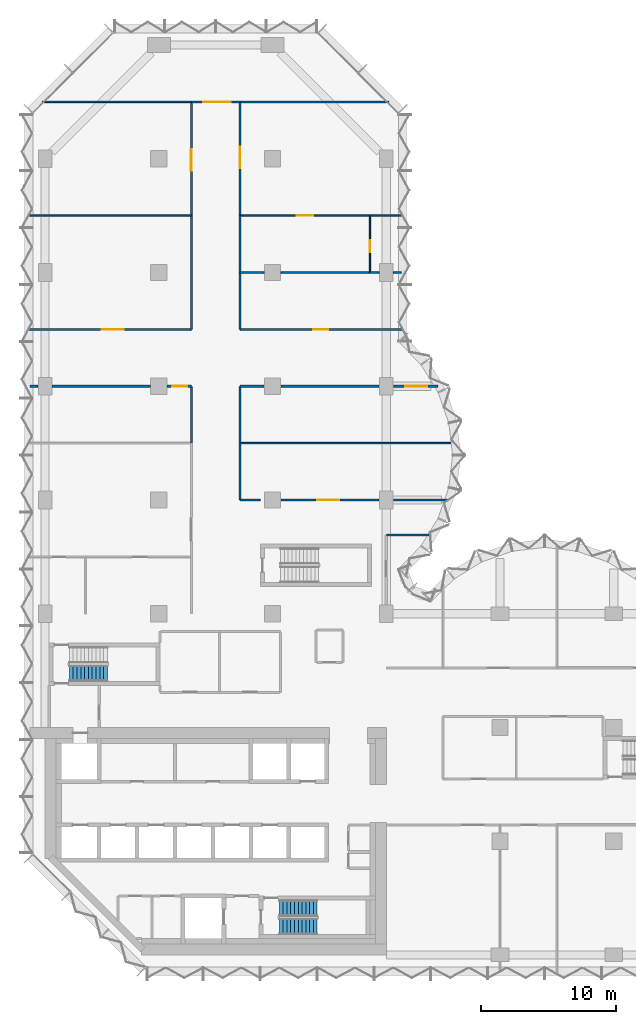
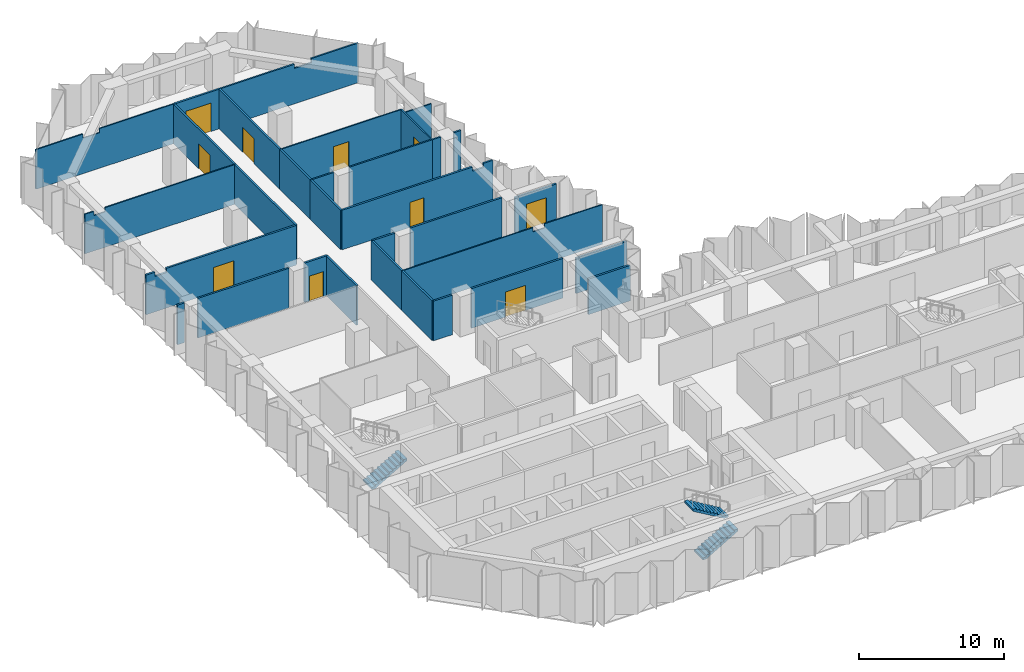
# One storey, part 10 of 13: 32 walls, 10 doors, 3 stair flights, 10 openings, 2 elements without a shape of their own.
"""IFC4 building model written with IfcOpenShell, lengths in metres."""

from ifc_helpers import new_model, si_unit, direction, frame, frame_2d, origin, place, context, subcontext, project, spatial, polyline, rectangle, outline, extrude, material, layer, layer_set, type_object, element, fill, aggregate, save


model = new_model("IFC4")

# Units and contexts
model_context = context("Model", 3, precision=1e-05, world=origin(), true_north=direction((0.0, 1.0)))
body_context = subcontext(model_context, "Body", "Model", "MODEL_VIEW")
ifc_project = project(units=[si_unit("LENGTHUNIT", "METRE"), si_unit("AREAUNIT", "SQUARE_METRE"), si_unit("VOLUMEUNIT", "CUBIC_METRE"), si_unit("PLANEANGLEUNIT", "RADIAN"), si_unit("MASSUNIT", "GRAM", prefix="KILO")], contexts=[model_context])

# Site, building, storey
site_placement = place(None, origin())
site = spatial("IfcSite", under=ifc_project, at=site_placement, CompositionType="ELEMENT")
building_placement = place(site_placement, origin())
building = spatial("IfcBuilding", under=site, at=building_placement, Name="Brevane Broadcast Tower", CompositionType="ELEMENT")
storey_placement = place(building_placement, frame((0.0, 0.0, 95.300048828125)))
storey = spatial("IfcBuildingStorey", under=building, at=storey_placement, Name="L22", CompositionType="ELEMENT", Elevation=95.300048828125)

# Walls
ifc_material_1 = material(Name="Gypsum board partition")
ifc_layer_1 = layer(ifc_material_1, 0.10009765625)
ifc_layer_set_1 = layer_set([ifc_layer_1], Name="PARTITION 100 STUD")
wall_type_1 = type_object("IfcWallType", Name="PARTITION 100 STUD", PredefinedType="PARTITIONING", material=ifc_layer_set_1)
wall_1_placement = place(storey_placement, frame((10.800048828125, 63.0, 0.0), z_axis=(0.0, 0.0, 1.0), x_axis=(-1.0, 0.0, 0.0)))
element("IfcWall", 1, at=wall_1_placement, inside=storey, type_object=wall_type_1, Name="Partition G06-046", PredefinedType="PARTITIONING", context=body_context, shape_type="SweptSolid", body=[
    extrude(outline(polyline([(0.0, 0.0), (11.0, 0.0), (11.0, 3.329833984375), (7.265625, 3.329833984375), (7.263671875, 2.97998046875), (5.936279296875, 2.97998046875), (5.934326171875, 3.329833984375), (0.0, 3.329833984375), (0.0, 0.0)])), frame((0.0, 0.050048828125, 0.0), z_axis=(0.0, -1.0, 0.0), x_axis=(1.0, 0.0, 0.0)), (0.0, 0.0, 1.0), 0.10009765625),
])
wall_2_placement = place(storey_placement, frame((-1.174072265625, 54.60009765625, 0.0), z_axis=(0.0, 0.0, 1.0), x_axis=(1.0, 0.0, 0.0)))
element("IfcWall", 2, at=wall_2_placement, inside=storey, type_object=wall_type_1, Name="Partition G06-056", PredefinedType="PARTITIONING", context=body_context, shape_type="SweptSolid", body=[
    extrude(outline(polyline([(0.0, 0.0), (11.97412109375, 0.0), (11.97412109375, 3.329833984375), (1.6240234375, 3.329833984375), (1.6220703125, 2.97998046875), (0.72607421875, 2.97998046875), (0.72412109375, 3.329833984375), (0.073974609375, 3.329833984375), (0.0, 3.329833984375), (0.0, 0.0)])), frame((0.0, 0.050048828125, 0.0), z_axis=(0.0, -1.0, 0.0), x_axis=(1.0, 0.0, 0.0)), (0.0, 0.0, 1.0), 0.10009765625),
])
wall_3_placement = place(storey_placement, frame((14.39990234375, 37.800048828125, 0.0), z_axis=(0.0, 0.0, 1.0), x_axis=(1.0, 0.0, 0.0)))
element("IfcWall", 3, at=wall_3_placement, inside=storey, type_object=wall_type_1, Name="Partition G06-061", PredefinedType="PARTITIONING", context=body_context, shape_type="SweptSolid", body=[
    extrude(outline(polyline([(0.0, 0.0), (15.8427734375, 0.0), (15.8427734375, 3.329833984375), (11.25, 3.329833984375), (11.248046875, 2.97998046875), (10.35205078125, 2.97998046875), (10.35009765625, 3.329833984375), (0.0, 3.329833984375), (0.0, 0.0)])), frame((0.0, 0.050048828125, 0.0), z_axis=(0.0, -1.0, 0.0), x_axis=(1.0, 0.0, 0.0)), (0.0, 0.0, 1.0), 0.10009765625),
])

# Wall, opening, door
wall_4_placement = place(storey_placement, frame((24.0, 54.60009765625, 0.0), z_axis=(0.0, 0.0, 1.0), x_axis=(-1.0, 0.0, 0.0)))
wall_4 = element("IfcWall", 4, at=wall_4_placement, inside=storey, type_object=wall_type_1, Name="Partition G06-066", PredefinedType="PARTITIONING", context=body_context, shape_type="SweptSolid", body=[
    extrude(rectangle(XDim=9.60009765625, YDim=0.10009765625, at=frame_2d((4.800048828125, 0.0))), origin(), (0.0, 0.0, 1.0), 3.329833984375),
])
opening_1_placement = place(wall_4_placement, frame((4.199951171875, 0.0, 0.0)))
opening_1 = element("IfcOpeningElement", 5, at=opening_1_placement, cuts=wall_4, Name="Opening D13-022", PredefinedType="OPENING", context=body_context, shape_type="SweptSolid", body=[
    extrude(rectangle(XDim=1.199951171875, YDim=2.10009765625, at=frame_2d((0.60009765625, 1.050048828125))), frame((0.0, 0.06005859375, 0.0), z_axis=(0.0, -1.0, 0.0), x_axis=(1.0, 0.0, 0.0)), (0.0, 0.0, 1.0), 0.1201171875),
])
ifc_material_2 = material(Name="Timber door leaf", Category="wood")
door_type_1 = type_object("IfcDoorType", Name="DOOR SINGLE 1200 INTERNAL", OperationType="SINGLE_SWING_LEFT", PredefinedType="DOOR", material=ifc_material_2)
door_1_placement = place(opening_1_placement, origin())
door_1 = element("IfcDoor", 6, at=door_1_placement, inside=storey, type_object=door_type_1, Name="Door D13-022", OperationType="SINGLE_SWING_LEFT", OverallHeight=2.10009765625, OverallWidth=1.199951171875, PredefinedType="DOOR", context=body_context, shape_type="SweptSolid", body=[
    extrude(rectangle(XDim=1.199951171875, YDim=2.10009765625, at=frame_2d((0.60009765625, 1.050048828125))), frame((0.0, 0.02490234375, 0.0), z_axis=(0.0, -1.0, 0.0), x_axis=(1.0, 0.0, 0.0)), (0.0, 0.0, 1.0), 0.050048828125),
])
fill(opening_1, door_1)

# Wall
wall_5_placement = place(storey_placement, frame((26.3740234375, 54.60009765625, 0.0), z_axis=(0.0, 0.0, 1.0), x_axis=(-1.0, 0.0, 0.0)))
element("IfcWall", 7, at=wall_5_placement, inside=storey, type_object=wall_type_1, Name="Partition G06-067", PredefinedType="PARTITIONING", context=body_context, shape_type="SweptSolid", body=[
    extrude(rectangle(XDim=2.3740234375, YDim=0.10009765625, at=frame_2d((1.18701171875, 0.0))), origin(), (0.0, 0.0, 1.0), 2.97998046875),
])

# Wall, opening, door
wall_6_placement = place(storey_placement, frame((24.0, 54.60009765625, 0.0), z_axis=(0.0, 0.0, 1.0), x_axis=(0.0, -1.0, 0.0)))
wall_6 = element("IfcWall", 8, at=wall_6_placement, inside=storey, type_object=wall_type_1, Name="Partition G06-068", PredefinedType="PARTITIONING", context=body_context, shape_type="SweptSolid", body=[
    extrude(rectangle(XDim=4.2001953125, YDim=0.10009765625, at=frame_2d((2.10009765625, 0.0))), origin(), (0.0, 0.0, 1.0), 3.329833984375),
])
opening_2_placement = place(wall_6_placement, frame((1.800048828125, 0.0, 0.0)))
opening_2 = element("IfcOpeningElement", 9, at=opening_2_placement, cuts=wall_6, Name="Opening D13-023", PredefinedType="OPENING", context=body_context, shape_type="SweptSolid", body=[
    extrude(rectangle(XDim=0.89990234375, YDim=2.10009765625, at=frame_2d((0.449951171875, 1.050048828125))), frame((0.0, 0.06005859375, 0.0), z_axis=(0.0, -1.0, 0.0), x_axis=(1.0, 0.0, 0.0)), (0.0, 0.0, 1.0), 0.1201171875),
])
door_type_2 = type_object("IfcDoorType", Name="DOOR SINGLE 900 INTERNAL", OperationType="SINGLE_SWING_LEFT", PredefinedType="DOOR", material=ifc_material_2)
door_2_placement = place(opening_2_placement, origin())
door_2 = element("IfcDoor", 10, at=door_2_placement, inside=storey, type_object=door_type_2, Name="Door D13-023", OperationType="SINGLE_SWING_LEFT", OverallHeight=2.10009765625, OverallWidth=0.89990234375, PredefinedType="DOOR", context=body_context, shape_type="SweptSolid", body=[
    extrude(rectangle(XDim=0.89990234375, YDim=2.10009765625, at=frame_2d((0.449951171875, 1.050048828125))), frame((0.0, 0.02490234375, 0.0), z_axis=(0.0, -1.0, 0.0), x_axis=(1.0, 0.0, 0.0)), (0.0, 0.0, 1.0), 0.050048828125),
])
fill(opening_2, door_2)

# Walls
ifc_layer_2 = layer(ifc_material_1, 0.125)
ifc_layer_set_2 = layer_set([ifc_layer_2], Name="PARTITION 125 ACOUSTIC")
wall_type_2 = type_object("IfcWallType", Name="PARTITION 125 ACOUSTIC", PredefinedType="PARTITIONING", material=ifc_layer_set_2)
wall_7_placement = place(storey_placement, frame((25.39990234375, 63.0, 0.0), z_axis=(0.0, 0.0, 1.0), x_axis=(-1.0, 0.0, 0.0)))
element("IfcWall", 11, at=wall_7_placement, inside=storey, type_object=wall_type_2, Name="Partition G06-047", PredefinedType="PARTITIONING", context=body_context, shape_type="SweptSolid", body=[
    extrude(outline(polyline([(0.0, 0.0), (11.0, 0.0), (11.0, 3.329833984375), (5.078125, 3.329833984375), (5.076171875, 2.97998046875), (3.723876953125, 2.97998046875), (3.721923828125, 3.329833984375), (0.0, 3.329833984375), (0.0, 0.0)])), frame((0.0, 0.0625, 0.0), z_axis=(0.0, -1.0, 0.0), x_axis=(1.0, 0.0, 0.0)), (0.0, 0.0, 1.0), 0.125),
])
wall_8_placement = place(storey_placement, frame((14.39990234375, 50.39990234375, 0.0), z_axis=(0.0, 0.0, 1.0), x_axis=(1.0, 0.0, 0.0)))
element("IfcWall", 12, at=wall_8_placement, inside=storey, type_object=wall_type_2, Name="Partition G06-062", PredefinedType="PARTITIONING", context=body_context, shape_type="SweptSolid", body=[
    extrude(rectangle(XDim=1.780029296875, YDim=0.125, at=frame_2d((0.89013671875, 0.0))), origin(), (0.0, 0.0, 1.0), 3.329833984375),
])
wall_9_placement = place(storey_placement, frame((17.419921875, 50.39990234375, 0.0), z_axis=(0.0, 0.0, 1.0), x_axis=(1.0, 0.0, 0.0)))
element("IfcWall", 13, at=wall_9_placement, inside=storey, type_object=wall_type_2, Name="Partition G06-063", PredefinedType="PARTITIONING", context=body_context, shape_type="SweptSolid", body=[
    extrude(rectangle(XDim=6.580078125, YDim=0.125, at=frame_2d((3.2900390625, 0.0))), origin(), (0.0, 0.0, 1.0), 3.329833984375),
])
wall_10_placement = place(storey_placement, frame((24.0, 50.39990234375, 0.0), z_axis=(0.0, 0.0, 1.0), x_axis=(1.0, 0.0, 0.0)))
element("IfcWall", 14, at=wall_10_placement, inside=storey, type_object=wall_type_2, Name="Partition G06-064", PredefinedType="PARTITIONING", context=body_context, shape_type="SweptSolid", body=[
    extrude(rectangle(XDim=0.679931640625, YDim=0.125, at=frame_2d((0.33984375, 0.0))), origin(), (0.0, 0.0, 1.0), 3.329833984375),
])
wall_11_placement = place(storey_placement, frame((25.719970703125, 50.39990234375, 0.0), z_axis=(0.0, 0.0, 1.0), x_axis=(1.0, 0.0, 0.0)))
element("IfcWall", 15, at=wall_11_placement, inside=storey, type_object=wall_type_2, Name="Partition G06-065", PredefinedType="PARTITIONING", context=body_context, shape_type="SweptSolid", body=[
    extrude(rectangle(XDim=0.580078125, YDim=0.125, at=frame_2d((0.2900390625, 0.0))), origin(), (0.0, 0.0, 1.0), 3.329833984375),
])
ifc_layer_3 = layer(ifc_material_1, 0.14990234375)
ifc_layer_set_3 = layer_set([ifc_layer_3], Name="PARTITION 150 EI 60")
wall_type_3 = type_object("IfcWallType", Name="PARTITION 150 EI 60", PredefinedType="PARTITIONING", material=ifc_layer_set_3)
wall_12_placement = place(storey_placement, frame((25.199951171875, 31.0, 0.0), z_axis=(0.0, 0.0, 1.0), x_axis=(1.0, 0.0, 0.0)))
element("IfcWall", 16, at=wall_12_placement, inside=storey, type_object=wall_type_3, Name="Partition G06-006", PredefinedType="PARTITIONING", context=body_context, shape_type="SweptSolid", body=[
    extrude(rectangle(XDim=3.32421875, YDim=0.14990234375, at=frame_2d((1.662109375, 0.0))), origin(), (0.0, 0.0, 1.0), 2.97998046875),
])
wall_13_placement = place(storey_placement, frame((14.39990234375, 33.60009765625, 0.0), z_axis=(0.0, 0.0, 1.0), x_axis=(1.0, 0.0, 0.0)))
element("IfcWall", 17, at=wall_13_placement, inside=storey, type_object=wall_type_3, Name="Partition G06-033", PredefinedType="PARTITIONING", context=body_context, shape_type="SweptSolid", body=[
    extrude(rectangle(XDim=1.5, YDim=0.14990234375, at=frame_2d((0.75, 0.0))), origin(), (0.0, 0.0, 1.0), 3.329833984375),
])

# Wall, opening, door
wall_14_placement = place(storey_placement, frame((17.419921875, 33.60009765625, 0.0), z_axis=(0.0, 0.0, 1.0), x_axis=(1.0, 0.0, 0.0)))
wall_14 = element("IfcWall", 18, at=wall_14_placement, inside=storey, type_object=wall_type_3, Name="Partition G06-034", PredefinedType="PARTITIONING", context=body_context, shape_type="SweptSolid", body=[
    extrude(rectangle(XDim=7.260009765625, YDim=0.14990234375, at=frame_2d((3.6298828125, 0.0))), origin(), (0.0, 0.0, 1.0), 3.329833984375),
])
opening_3_placement = place(wall_14_placement, frame((2.699951171875, 0.0, 0.0)))
opening_3 = element("IfcOpeningElement", 19, at=opening_3_placement, cuts=wall_14, Name="Opening D13-018", PredefinedType="OPENING", context=body_context, shape_type="SweptSolid", body=[
    extrude(rectangle(XDim=1.60009765625, YDim=2.10009765625, at=frame_2d((0.800048828125, 1.050048828125))), frame((0.0, 0.0849609375, 0.0), z_axis=(0.0, -1.0, 0.0), x_axis=(1.0, 0.0, 0.0)), (0.0, 0.0, 1.0), 0.169921875),
])
ifc_material_3 = material(Name="Fire-rated timber door leaf", Category="wood")
door_type_3 = type_object("IfcDoorType", Name="DOOR DOUBLE 1600 FD30S", OperationType="DOUBLE_DOOR_SINGLE_SWING", PredefinedType="DOOR", material=ifc_material_3)
door_3_placement = place(opening_3_placement, origin())
door_3 = element("IfcDoor", 20, at=door_3_placement, inside=storey, type_object=door_type_3, Name="Door D13-018", OperationType="DOUBLE_DOOR_SINGLE_SWING", OverallHeight=2.10009765625, OverallWidth=1.60009765625, PredefinedType="DOOR", context=body_context, shape_type="SweptSolid", body=[
    extrude(rectangle(XDim=1.60009765625, YDim=2.10009765625, at=frame_2d((0.800048828125, 1.050048828125))), frame((0.0, 0.02490234375, 0.0), z_axis=(0.0, -1.0, 0.0), x_axis=(1.0, 0.0, 0.0)), (0.0, 0.0, 1.0), 0.050048828125),
])
fill(opening_3, door_3)

# Wall
wall_15_placement = place(storey_placement, frame((25.719970703125, 33.60009765625, 0.0), z_axis=(0.0, 0.0, 1.0), x_axis=(1.0, 0.0, 0.0)))
element("IfcWall", 21, at=wall_15_placement, inside=storey, type_object=wall_type_3, Name="Partition G06-035", PredefinedType="PARTITIONING", context=body_context, shape_type="SweptSolid", body=[
    extrude(rectangle(XDim=4.0419921875, YDim=0.14990234375, at=frame_2d((2.02099609375, 0.0))), origin(), (0.0, 0.0, 1.0), 2.97998046875),
])

# Wall, opening, door
wall_16_placement = place(storey_placement, frame((10.800048828125, 63.0, 0.0), z_axis=(0.0, 0.0, 1.0), x_axis=(1.0, 0.0, 0.0)))
wall_16 = element("IfcWall", 22, at=wall_16_placement, inside=storey, type_object=wall_type_3, Name="Partition G06-036", PredefinedType="PARTITIONING", context=body_context, shape_type="SweptSolid", body=[
    extrude(rectangle(XDim=3.599853515625, YDim=0.14990234375, at=frame_2d((1.7998046875, 0.0))), origin(), (0.0, 0.0, 1.0), 3.329833984375),
])
opening_4_placement = place(wall_16_placement, frame((0.89990234375, 0.0, 0.0)))
opening_4 = element("IfcOpeningElement", 23, at=opening_4_placement, cuts=wall_16, Name="Opening D13-011", PredefinedType="OPENING", context=body_context, shape_type="SweptSolid", body=[
    extrude(rectangle(XDim=2.0, YDim=2.39990234375, at=frame_2d((1.0, 1.199951171875))), frame((0.0, 0.0849609375, 0.0), z_axis=(0.0, -1.0, 0.0), x_axis=(1.0, 0.0, 0.0)), (0.0, 0.0, 1.0), 0.169921875),
])
door_type_4 = type_object("IfcDoorType", Name="DOOR DOUBLE 2000 FD30S", OperationType="DOUBLE_DOOR_SINGLE_SWING", PredefinedType="DOOR", material=ifc_material_3)
door_4_placement = place(opening_4_placement, origin())
door_4 = element("IfcDoor", 24, at=door_4_placement, inside=storey, type_object=door_type_4, Name="Door D13-011", OperationType="DOUBLE_DOOR_SINGLE_SWING", OverallHeight=2.39990234375, OverallWidth=2.0, PredefinedType="DOOR", context=body_context, shape_type="SweptSolid", body=[
    extrude(rectangle(XDim=2.0, YDim=2.39990234375, at=frame_2d((1.0, 1.199951171875))), frame((0.0, 0.02490234375, 0.0), z_axis=(0.0, -1.0, 0.0), x_axis=(1.0, 0.0, 0.0)), (0.0, 0.0, 1.0), 0.050048828125),
])
fill(opening_4, door_4)

# Walls
wall_17_placement = place(storey_placement, frame((10.800048828125, 37.800048828125, 0.0), z_axis=(0.0, 0.0, 1.0), x_axis=(0.0, 1.0, 0.0)))
element("IfcWall", 25, at=wall_17_placement, inside=storey, type_object=wall_type_3, Name="Partition G06-038", PredefinedType="PARTITIONING", context=body_context, shape_type="SweptSolid", body=[
    extrude(rectangle(XDim=4.199951171875, YDim=0.14990234375, at=frame_2d((2.10009765625, 0.0))), origin(), (0.0, 0.0, 1.0), 3.329833984375),
])
wall_18_placement = place(storey_placement, frame((10.800048828125, 46.199951171875, 0.0), z_axis=(0.0, 0.0, 1.0), x_axis=(0.0, 1.0, 0.0)))
element("IfcWall", 26, at=wall_18_placement, inside=storey, type_object=wall_type_3, Name="Partition G06-039", PredefinedType="PARTITIONING", context=body_context, shape_type="SweptSolid", body=[
    extrude(rectangle(XDim=8.400146484375, YDim=0.14990234375, at=frame_2d((4.2001953125, 0.0))), origin(), (0.0, 0.0, 1.0), 3.329833984375),
])

# Wall, opening, door
wall_19_placement = place(storey_placement, frame((10.800048828125, 54.60009765625, 0.0), z_axis=(0.0, 0.0, 1.0), x_axis=(0.0, 1.0, 0.0)))
wall_19 = element("IfcWall", 27, at=wall_19_placement, inside=storey, type_object=wall_type_3, Name="Partition G06-040", PredefinedType="PARTITIONING", context=body_context, shape_type="SweptSolid", body=[
    extrude(rectangle(XDim=8.39990234375, YDim=0.14990234375, at=frame_2d((4.199951171875, 0.0))), origin(), (0.0, 0.0, 1.0), 3.329833984375),
])
opening_5_placement = place(wall_19_placement, frame((3.300048828125, 0.0, 0.0)))
opening_5 = element("IfcOpeningElement", 28, at=opening_5_placement, cuts=wall_19, Name="Opening D13-017", PredefinedType="OPENING", context=body_context, shape_type="SweptSolid", body=[
    extrude(rectangle(XDim=1.60009765625, YDim=2.10009765625, at=frame_2d((0.800048828125, 1.050048828125))), frame((0.0, 0.0849609375, 0.0), z_axis=(0.0, -1.0, 0.0), x_axis=(1.0, 0.0, 0.0)), (0.0, 0.0, 1.0), 0.169921875),
])
door_5_placement = place(opening_5_placement, origin())
door_5 = element("IfcDoor", 29, at=door_5_placement, inside=storey, type_object=door_type_3, Name="Door D13-017", OperationType="DOUBLE_DOOR_SINGLE_SWING", OverallHeight=2.10009765625, OverallWidth=1.60009765625, PredefinedType="DOOR", context=body_context, shape_type="SweptSolid", body=[
    extrude(rectangle(XDim=1.60009765625, YDim=2.10009765625, at=frame_2d((0.800048828125, 1.050048828125))), frame((0.0, 0.02490234375, 0.0), z_axis=(0.0, -1.0, 0.0), x_axis=(1.0, 0.0, 0.0)), (0.0, 0.0, 1.0), 0.050048828125),
])
fill(opening_5, door_5)

# Walls
for number, where, z_axis, x_axis, name in (
    (30, (14.39990234375, 37.800048828125, 0.0), (0.0, 0.0, 1.0), (0.0, -1.0, 0.0), "Partition G06-041"),
    (31, (14.39990234375, 42.0, 0.0), (0.0, 0.0, 1.0), (0.0, -1.0, 0.0), "Partition G06-042"),
    (32, (14.39990234375, 50.39990234375, 0.0), (0.0, 0.0, 1.0), (0.0, -1.0, 0.0), "Partition G06-043"),
):
    element("IfcWall", number, at=place(storey_placement, frame(where, z_axis=z_axis, x_axis=x_axis)), inside=storey, type_object=wall_type_3, Name=name, PredefinedType="PARTITIONING", context=body_context, shape_type="SweptSolid", body=[
        extrude(rectangle(XDim=4.199951171875, YDim=0.14990234375, at=frame_2d((2.10009765625, 0.0))), origin(), (0.0, 0.0, 1.0), 3.329833984375),
    ])

# Wall, opening, door
wall_20_placement = place(storey_placement, frame((14.39990234375, 63.0, 0.0), z_axis=(0.0, 0.0, 1.0), x_axis=(0.0, -1.0, 0.0)))
wall_20 = element("IfcWall", 33, at=wall_20_placement, inside=storey, type_object=wall_type_3, Name="Partition G06-044", PredefinedType="PARTITIONING", context=body_context, shape_type="SweptSolid", body=[
    extrude(rectangle(XDim=8.39990234375, YDim=0.14990234375, at=frame_2d((4.199951171875, 0.0))), origin(), (0.0, 0.0, 1.0), 3.329833984375),
])
opening_6_placement = place(wall_20_placement, frame((3.300048828125, 0.0, 0.0)))
opening_6 = element("IfcOpeningElement", 34, at=opening_6_placement, cuts=wall_20, Name="Opening D13-021", PredefinedType="OPENING", context=body_context, shape_type="SweptSolid", body=[
    extrude(rectangle(XDim=1.60009765625, YDim=2.10009765625, at=frame_2d((0.800048828125, 1.050048828125))), frame((0.0, 0.0849609375, 0.0), z_axis=(0.0, -1.0, 0.0), x_axis=(1.0, 0.0, 0.0)), (0.0, 0.0, 1.0), 0.169921875),
])
door_6_placement = place(opening_6_placement, origin())
door_6 = element("IfcDoor", 35, at=door_6_placement, inside=storey, type_object=door_type_3, Name="Door D13-021", OperationType="DOUBLE_DOOR_SINGLE_SWING", OverallHeight=2.10009765625, OverallWidth=1.60009765625, PredefinedType="DOOR", context=body_context, shape_type="SweptSolid", body=[
    extrude(rectangle(XDim=1.60009765625, YDim=2.10009765625, at=frame_2d((0.800048828125, 1.050048828125))), frame((0.0, 0.02490234375, 0.0), z_axis=(0.0, -1.0, 0.0), x_axis=(1.0, 0.0, 0.0)), (0.0, 0.0, 1.0), 0.050048828125),
])
fill(opening_6, door_6)

# Wall
wall_21_placement = place(storey_placement, frame((14.39990234375, 54.60009765625, 0.0), z_axis=(0.0, 0.0, 1.0), x_axis=(0.0, -1.0, 0.0)))
element("IfcWall", 36, at=wall_21_placement, inside=storey, type_object=wall_type_3, Name="Partition G06-045", PredefinedType="PARTITIONING", context=body_context, shape_type="SweptSolid", body=[
    extrude(rectangle(XDim=4.2001953125, YDim=0.14990234375, at=frame_2d((2.10009765625, 0.0))), origin(), (0.0, 0.0, 1.0), 3.329833984375),
])

# Wall, opening, door
wall_22_placement = place(storey_placement, frame((10.800048828125, 42.0, 0.0), z_axis=(0.0, 0.0, 1.0), x_axis=(-1.0, 0.0, 0.0)))
wall_22 = element("IfcWall", 37, at=wall_22_placement, inside=storey, type_object=wall_type_3, Name="Partition G06-048", PredefinedType="PARTITIONING", context=body_context, shape_type="SweptSolid", body=[
    extrude(rectangle(XDim=1.780029296875, YDim=0.14990234375, at=frame_2d((0.89013671875, 0.0))), origin(), (0.0, 0.0, 1.0), 3.329833984375),
])
opening_7_placement = place(wall_22_placement, frame((0.300048828125, 0.0, 0.0)))
opening_7 = element("IfcOpeningElement", 38, at=opening_7_placement, cuts=wall_22, Name="Opening D13-015", PredefinedType="OPENING", context=body_context, shape_type="SweptSolid", body=[
    extrude(rectangle(XDim=1.10009765625, YDim=2.10009765625, at=frame_2d((0.550048828125, 1.050048828125))), frame((0.0, 0.0849609375, 0.0), z_axis=(0.0, -1.0, 0.0), x_axis=(1.0, 0.0, 0.0)), (0.0, 0.0, 1.0), 0.169921875),
])
door_type_5 = type_object("IfcDoorType", Name="DOOR SINGLE 1100 FD30S", OperationType="SINGLE_SWING_LEFT", PredefinedType="DOOR", material=ifc_material_3)
door_7_placement = place(opening_7_placement, origin())
door_7 = element("IfcDoor", 39, at=door_7_placement, inside=storey, type_object=door_type_5, Name="Door D13-015", OperationType="SINGLE_SWING_LEFT", OverallHeight=2.10009765625, OverallWidth=1.10009765625, PredefinedType="DOOR", context=body_context, shape_type="SweptSolid", body=[
    extrude(rectangle(XDim=1.10009765625, YDim=2.10009765625, at=frame_2d((0.550048828125, 1.050048828125))), frame((0.0, 0.02490234375, 0.0), z_axis=(0.0, -1.0, 0.0), x_axis=(1.0, 0.0, 0.0)), (0.0, 0.0, 1.0), 0.050048828125),
])
fill(opening_7, door_7)

# Walls
wall_23_placement = place(storey_placement, frame((7.780029296875, 42.0, 0.0), z_axis=(0.0, 0.0, 1.0), x_axis=(-1.0, 0.0, 0.0)))
element("IfcWall", 40, at=wall_23_placement, inside=storey, type_object=wall_type_3, Name="Partition G06-049", PredefinedType="PARTITIONING", context=body_context, shape_type="SweptSolid", body=[
    extrude(rectangle(XDim=7.260009765625, YDim=0.14990234375, at=frame_2d((3.6298828125, 0.0))), origin(), (0.0, 0.0, 1.0), 3.329833984375),
])
wall_24_placement = place(storey_placement, frame((-0.52001953125, 42.0, 0.0), z_axis=(0.0, 0.0, 1.0), x_axis=(-1.0, 0.0, 0.0)))
element("IfcWall", 41, at=wall_24_placement, inside=storey, type_object=wall_type_3, Name="Partition G06-050", PredefinedType="PARTITIONING", context=body_context, shape_type="SweptSolid", body=[
    extrude(rectangle(XDim=0.580078125, YDim=0.14990234375, at=frame_2d((0.2900390625, 0.0))), origin(), (0.0, 0.0, 1.0), 3.329833984375),
])

# Wall, opening, door
wall_25_placement = place(storey_placement, frame((-1.174072265625, 46.199951171875, 0.0), z_axis=(0.0, 0.0, 1.0), x_axis=(1.0, 0.0, 0.0)))
wall_25 = element("IfcWall", 42, at=wall_25_placement, inside=storey, type_object=wall_type_3, Name="Partition G06-051", PredefinedType="PARTITIONING", context=body_context, shape_type="SweptSolid", body=[
    extrude(outline(polyline([(0.0, 0.0), (11.97412109375, 0.0), (11.97412109375, 3.329833984375), (1.6240234375, 3.329833984375), (1.6220703125, 2.97998046875), (0.72607421875, 2.97998046875), (0.72412109375, 3.329833984375), (0.073974609375, 3.329833984375), (0.0, 3.329833984375), (0.0, 0.0)])), frame((0.0, 0.074951171875, 0.0), z_axis=(0.0, -1.0, 0.0), x_axis=(1.0, 0.0, 0.0)), (0.0, 0.0, 1.0), 0.14990234375),
])
opening_8_placement = place(wall_25_placement, frame((5.3740234375, 0.0, 0.0)))
opening_8 = element("IfcOpeningElement", 43, at=opening_8_placement, cuts=wall_25, Name="Opening D13-016", PredefinedType="OPENING", context=body_context, shape_type="SweptSolid", body=[
    extrude(rectangle(XDim=1.60009765625, YDim=2.10009765625, at=frame_2d((0.800048828125, 1.050048828125))), frame((0.0, 0.0849609375, 0.0), z_axis=(0.0, -1.0, 0.0), x_axis=(1.0, 0.0, 0.0)), (0.0, 0.0, 1.0), 0.169921875),
])
door_8_placement = place(opening_8_placement, origin())
door_8 = element("IfcDoor", 44, at=door_8_placement, inside=storey, type_object=door_type_3, Name="Door D13-016", OperationType="DOUBLE_DOOR_SINGLE_SWING", OverallHeight=2.10009765625, OverallWidth=1.60009765625, PredefinedType="DOOR", context=body_context, shape_type="SweptSolid", body=[
    extrude(rectangle(XDim=1.60009765625, YDim=2.10009765625, at=frame_2d((0.800048828125, 1.050048828125))), frame((0.0, 0.02490234375, 0.0), z_axis=(0.0, -1.0, 0.0), x_axis=(1.0, 0.0, 0.0)), (0.0, 0.0, 1.0), 0.050048828125),
])
fill(opening_8, door_8)

wall_26_placement = place(storey_placement, frame((29.011474609375, 42.0, 0.0), z_axis=(0.0, 0.0, 1.0), x_axis=(-1.0, 0.0, 0.0)))
wall_26 = element("IfcWall", 45, at=wall_26_placement, inside=storey, type_object=wall_type_3, Name="Partition G06-057", PredefinedType="PARTITIONING", context=body_context, shape_type="SweptSolid", body=[
    extrude(rectangle(XDim=3.29150390625, YDim=0.14990234375, at=frame_2d((1.645751953125, 0.0))), origin(), (0.0, 0.0, 1.0), 2.97998046875),
])
opening_9_placement = place(wall_26_placement, frame((0.800048828125, 0.0, 0.0)))
opening_9 = element("IfcOpeningElement", 46, at=opening_9_placement, cuts=wall_26, Name="Opening D13-019", PredefinedType="OPENING", context=body_context, shape_type="SweptSolid", body=[
    extrude(rectangle(XDim=1.60009765625, YDim=2.10009765625, at=frame_2d((0.800048828125, 1.050048828125))), frame((0.0, 0.0849609375, 0.0), z_axis=(0.0, -1.0, 0.0), x_axis=(1.0, 0.0, 0.0)), (0.0, 0.0, 1.0), 0.169921875),
])
door_9_placement = place(opening_9_placement, origin())
door_9 = element("IfcDoor", 47, at=door_9_placement, inside=storey, type_object=door_type_3, Name="Door D13-019", OperationType="DOUBLE_DOOR_SINGLE_SWING", OverallHeight=2.10009765625, OverallWidth=1.60009765625, PredefinedType="DOOR", context=body_context, shape_type="SweptSolid", body=[
    extrude(rectangle(XDim=1.60009765625, YDim=2.10009765625, at=frame_2d((0.800048828125, 1.050048828125))), frame((0.0, 0.02490234375, 0.0), z_axis=(0.0, -1.0, 0.0), x_axis=(1.0, 0.0, 0.0)), (0.0, 0.0, 1.0), 0.050048828125),
])
fill(opening_9, door_9)

# Walls
wall_27_placement = place(storey_placement, frame((24.679931640625, 42.0, 0.0), z_axis=(0.0, 0.0, 1.0), x_axis=(-1.0, 0.0, 0.0)))
element("IfcWall", 48, at=wall_27_placement, inside=storey, type_object=wall_type_3, Name="Partition G06-058", PredefinedType="PARTITIONING", context=body_context, shape_type="SweptSolid", body=[
    extrude(rectangle(XDim=7.260009765625, YDim=0.14990234375, at=frame_2d((3.6298828125, 0.0))), origin(), (0.0, 0.0, 1.0), 3.329833984375),
])
wall_28_placement = place(storey_placement, frame((16.179931640625, 42.0, 0.0), z_axis=(0.0, 0.0, 1.0), x_axis=(-1.0, 0.0, 0.0)))
element("IfcWall", 49, at=wall_28_placement, inside=storey, type_object=wall_type_3, Name="Partition G06-059", PredefinedType="PARTITIONING", context=body_context, shape_type="SweptSolid", body=[
    extrude(rectangle(XDim=1.780029296875, YDim=0.14990234375, at=frame_2d((0.89013671875, 0.0))), origin(), (0.0, 0.0, 1.0), 3.329833984375),
])

# Wall, opening, door
wall_29_placement = place(storey_placement, frame((14.39990234375, 46.199951171875, 0.0), z_axis=(0.0, 0.0, 1.0), x_axis=(1.0, 0.0, 0.0)))
wall_29 = element("IfcWall", 50, at=wall_29_placement, inside=storey, type_object=wall_type_3, Name="Partition G06-060", PredefinedType="PARTITIONING", context=body_context, shape_type="SweptSolid", body=[
    extrude(outline(polyline([(0.0, 0.0), (11.97412109375, 0.0), (11.97412109375, 3.329833984375), (11.89990234375, 3.329833984375), (11.25, 3.329833984375), (11.248046875, 2.97998046875), (10.35205078125, 2.97998046875), (10.35009765625, 3.329833984375), (0.0, 3.329833984375), (0.0, 0.0)])), frame((0.0, 0.074951171875, 0.0), z_axis=(0.0, -1.0, 0.0), x_axis=(1.0, 0.0, 0.0)), (0.0, 0.0, 1.0), 0.14990234375),
])
opening_10_placement = place(wall_29_placement, frame((5.39990234375, 0.0, 0.0)))
opening_10 = element("IfcOpeningElement", 51, at=opening_10_placement, cuts=wall_29, Name="Opening D13-020", PredefinedType="OPENING", context=body_context, shape_type="SweptSolid", body=[
    extrude(rectangle(XDim=1.10009765625, YDim=2.10009765625, at=frame_2d((0.550048828125, 1.050048828125))), frame((0.0, 0.0849609375, 0.0), z_axis=(0.0, -1.0, 0.0), x_axis=(1.0, 0.0, 0.0)), (0.0, 0.0, 1.0), 0.169921875),
])
door_10_placement = place(opening_10_placement, origin())
door_10 = element("IfcDoor", 52, at=door_10_placement, inside=storey, type_object=door_type_5, Name="Door D13-020", OperationType="SINGLE_SWING_LEFT", OverallHeight=2.10009765625, OverallWidth=1.10009765625, PredefinedType="DOOR", context=body_context, shape_type="SweptSolid", body=[
    extrude(rectangle(XDim=1.10009765625, YDim=2.10009765625, at=frame_2d((0.550048828125, 1.050048828125))), frame((0.0, 0.02490234375, 0.0), z_axis=(0.0, -1.0, 0.0), x_axis=(1.0, 0.0, 0.0)), (0.0, 0.0, 1.0), 0.050048828125),
])
fill(opening_10, door_10)

# Stair, stair flight
ifc_material_4 = material(Name="Concrete C50/60", Category="concrete")
stair_type = type_object("IfcStairType", Name="Exit stair 22 risers", PredefinedType="HALF_TURN_STAIR", material=ifc_material_4)
stair_1_placement = place(storey_placement, origin())
stair_1 = element("IfcStair", 53, at=stair_1_placement, inside=storey, type_object=stair_type, Name="L22 Exit stair ST-1", PredefinedType="HALF_TURN_STAIR")
stair_flight_type = type_object("IfcStairFlightType", Name="Exit stair flight 22 risers", PredefinedType="STRAIGHT", material=ifc_material_4)
stair_flight_1_placement = place(storey_placement, frame((1.800048828125, 20.800048828125, 0.0), z_axis=(0.0, 0.0, 1.0), x_axis=(1.0, 0.0, 0.0)))
stair_flight_1 = element("IfcStairFlight", 54, at=stair_flight_1_placement, type_object=stair_flight_type, Name="ST-1 flight 1", NumberOfRisers=11, NumberOfTreads=10, PredefinedType="STRAIGHT", RiserHeight=0.163636364, TreadLength=0.28, context=body_context, shape_type="SweptSolid", body=[
    extrude(outline(polyline([(0.0, 0.0), (0.0, 0.16357421875), (0.280029296875, 0.16357421875), (0.280029296875, 0.327392578125), (0.56005859375, 0.327392578125), (0.56005859375, 0.490966796875), (0.840087890625, 0.490966796875), (0.840087890625, 0.654541015625), (1.1201171875, 0.654541015625), (1.1201171875, 0.818115234375), (1.39990234375, 0.818115234375), (1.39990234375, 0.98193359375), (1.679931640625, 0.98193359375), (1.679931640625, 1.1455078125), (1.9599609375, 1.1455078125), (1.9599609375, 1.30908203125), (2.239990234375, 1.30908203125), (2.239990234375, 1.47265625), (2.52001953125, 1.47265625), (2.52001953125, 1.636474609375), (2.800048828125, 1.636474609375), (2.800048828125, 1.800048828125), (2.800048828125, 1.462646484375), (0.297119140625, 0.0), (0.0, 0.0)])), frame((0.0, 0.60009765625, 0.0), z_axis=(0.0, -1.0, 0.0), x_axis=(1.0, 0.0, 0.0)), (0.0, 0.0, 1.0), 1.199951171875),
])
aggregate(stair_1, [stair_flight_1])

# Stair, stair flights
stair_2_placement = place(storey_placement, origin())
stair_2 = element("IfcStair", 55, at=stair_2_placement, inside=storey, type_object=stair_type, Name="L22 Exit stair ST-2", PredefinedType="HALF_TURN_STAIR")
stair_flight_2_placement = place(storey_placement, frame((17.300048828125, 2.10009765625, 0.0), z_axis=(0.0, 0.0, 1.0), x_axis=(1.0, 0.0, 0.0)))
stair_flight_2 = element("IfcStairFlight", 56, at=stair_flight_2_placement, type_object=stair_flight_type, Name="ST-2 flight 1", NumberOfRisers=11, NumberOfTreads=10, PredefinedType="STRAIGHT", RiserHeight=0.163636364, TreadLength=0.28, context=body_context, shape_type="SweptSolid", body=[
    extrude(outline(polyline([(0.0, 0.0), (0.0, 0.16357421875), (0.280029296875, 0.16357421875), (0.280029296875, 0.327392578125), (0.56005859375, 0.327392578125), (0.56005859375, 0.490966796875), (0.840087890625, 0.490966796875), (0.840087890625, 0.654541015625), (1.1201171875, 0.654541015625), (1.1201171875, 0.818115234375), (1.39990234375, 0.818115234375), (1.39990234375, 0.98193359375), (1.679931640625, 0.98193359375), (1.679931640625, 1.1455078125), (1.9599609375, 1.1455078125), (1.9599609375, 1.30908203125), (2.239990234375, 1.30908203125), (2.239990234375, 1.47265625), (2.52001953125, 1.47265625), (2.52001953125, 1.636474609375), (2.800048828125, 1.636474609375), (2.800048828125, 1.800048828125), (2.800048828125, 1.462646484375), (0.297119140625, 0.0), (0.0, 0.0)])), frame((0.0, 0.60009765625, 0.0), z_axis=(0.0, -1.0, 0.0), x_axis=(1.0, 0.0, 0.0)), (0.0, 0.0, 1.0), 1.199951171875),
])
stair_flight_3_placement = place(storey_placement, frame((20.10009765625, 3.449951171875, 1.800048828125), z_axis=(0.0, 0.0, 1.0), x_axis=(-1.0, 0.0, 0.0)))
stair_flight_3 = element("IfcStairFlight", 57, at=stair_flight_3_placement, type_object=stair_flight_type, Name="ST-2 flight 2", NumberOfRisers=11, NumberOfTreads=10, PredefinedType="STRAIGHT", RiserHeight=0.163636364, TreadLength=0.28, context=body_context, shape_type="SweptSolid", body=[
    extrude(outline(polyline([(0.0, 0.0), (0.0, 0.16357421875), (0.280029296875, 0.16357421875), (0.280029296875, 0.327392578125), (0.56005859375, 0.327392578125), (0.56005859375, 0.490966796875), (0.840087890625, 0.490966796875), (0.840087890625, 0.654541015625), (1.1201171875, 0.654541015625), (1.1201171875, 0.818115234375), (1.39990234375, 0.818115234375), (1.39990234375, 0.98193359375), (1.679931640625, 0.98193359375), (1.679931640625, 1.1455078125), (1.9599609375, 1.1455078125), (1.9599609375, 1.30908203125), (2.239990234375, 1.30908203125), (2.239990234375, 1.47265625), (2.52001953125, 1.47265625), (2.52001953125, 1.636474609375), (2.800048828125, 1.636474609375), (2.800048828125, 1.800048828125), (2.800048828125, 1.462646484375), (0.297119140625, 0.0), (0.0, 0.0)])), frame((0.0, 0.60009765625, 0.0), z_axis=(0.0, -1.0, 0.0), x_axis=(1.0, 0.0, 0.0)), (0.0, 0.0, 1.0), 1.199951171875),
])
aggregate(stair_2, [stair_flight_2, stair_flight_3])

save(model, "model.ifc")
